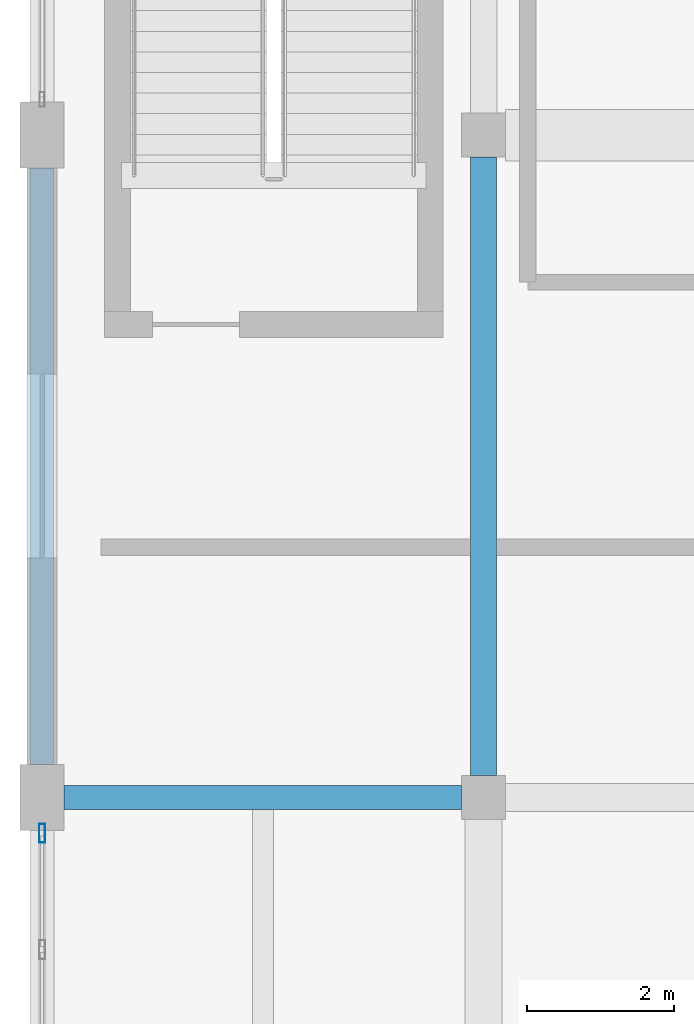
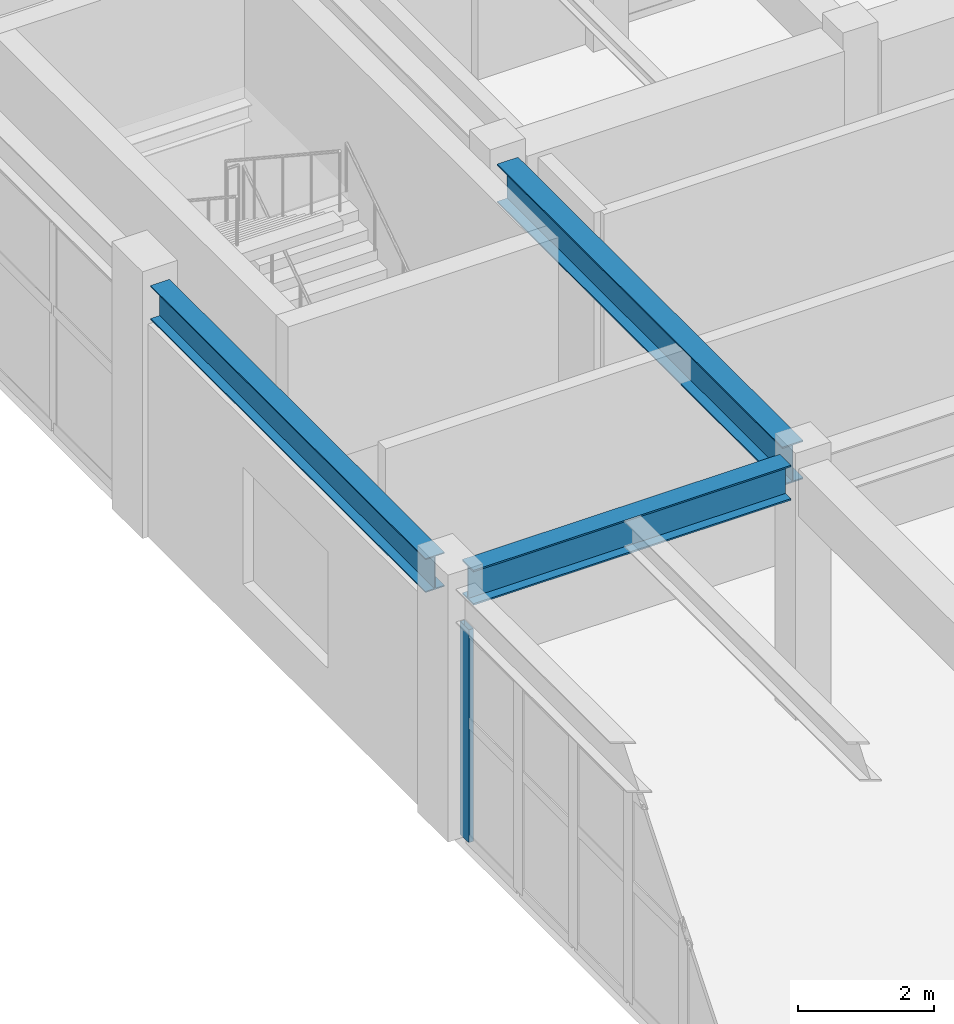
# One storey, part 13 of 80: 3 beams, 1 member, 1 element without a shape of its own.
"""IFC4 building model written with IfcOpenShell, lengths in metres."""

from ifc_helpers import new_model, si_unit, direction, frame, origin, origin_2d, place, context, subcontext, project, spatial, hollow_rectangle, i_section, extrude, material, layer, layer_set, material_profile, profile_set, type_object, element, aggregate, save


model = new_model("IFC4")

# Units and contexts
model_context = context("Model", 3, precision=1e-05, world=origin(), true_north=direction((0.0, 1.0)))
body_context = subcontext(model_context, "Body", "Model", "MODEL_VIEW")
ifc_project = project(units=[si_unit("LENGTHUNIT", "METRE"), si_unit("AREAUNIT", "SQUARE_METRE"), si_unit("VOLUMEUNIT", "CUBIC_METRE"), si_unit("PLANEANGLEUNIT", "RADIAN"), si_unit("MASSUNIT", "GRAM", prefix="KILO")], contexts=[model_context])

# Site, building, storey
site_placement = place(None, origin())
site = spatial("IfcSite", under=ifc_project, at=site_placement, CompositionType="ELEMENT")
building_placement = place(site_placement, origin())
building = spatial("IfcBuilding", under=site, at=building_placement, Name="Vaelkrest Opera House", CompositionType="ELEMENT")
storey_placement = place(building_placement, frame((0.0, 0.0, 15.0)))
storey = spatial("IfcBuildingStorey", under=building, at=storey_placement, Name="L03", CompositionType="ELEMENT", Elevation=15.0)

# Beams
ifc_material_1 = material(Name="Steel A992 Gr50", Category="steel")
ifc_material_profile_1 = material_profile(ifc_material_1, i_section(OverallWidth=0.327880859375, OverallDepth=0.6279296875, WebThickness=0.0166015625, FlangeThickness=0.027587890625, at=origin_2d()), Name="W24X146")
ifc_profile_set_1 = profile_set([ifc_material_profile_1], Name="Steel A992 Gr50")
beam_type_1 = type_object("IfcBeamType", Name="B09", PredefinedType="BEAM", material=ifc_profile_set_1)
beam_1_placement = place(storey_placement, frame((-75.300048828125, 1.199951171875, 4.19091796875), z_axis=(1.0, 0.0, 0.0), x_axis=(0.0, 1.0, 0.0)))
element("IfcBeam", 1, at=beam_1_placement, inside=storey, type_object=beam_type_1, Name="Beam BM-V3-L03-1746", PredefinedType="BEAM", context=body_context, shape_type="SweptSolid", body=[
    extrude(i_section(OverallWidth=0.327880859375, OverallDepth=0.6279296875, WebThickness=0.0166015625, FlangeThickness=0.027587890625, at=origin_2d()), origin(), (0.0, 0.0, 1.0), 5.400146484375),
])
ifc_material_profile_2 = material_profile(ifc_material_1, i_section(OverallWidth=0.35498046875, OverallDepth=0.695068359375, WebThickness=0.015380859375, FlangeThickness=0.02490234375, at=origin_2d()), Name="W27X146")
ifc_profile_set_2 = profile_set([ifc_material_profile_2], Name="Steel A992 Gr50")
beam_type_2 = type_object("IfcBeamType", Name="B10", PredefinedType="BEAM", material=ifc_profile_set_2)
beam_2_placement = place(storey_placement, frame((-69.60009765625, 1.5, 4.157470703125), z_axis=(0.0, 1.0, 0.0), x_axis=(-1.0, 0.0, 0.0)))
element("IfcBeam", 2, at=beam_2_placement, inside=storey, type_object=beam_type_2, Name="Beam BM-V3-L03-1769", PredefinedType="BEAM", context=body_context, shape_type="SweptSolid", body=[
    extrude(i_section(OverallWidth=0.35498046875, OverallDepth=0.695068359375, WebThickness=0.015380859375, FlangeThickness=0.02490234375, at=origin_2d()), origin(), (0.0, 0.0, 1.0), 8.39990234375),
])

# Curtain wall, member
ifc_material_2 = material(Name="Dark bronze anodized aluminium", Category="aluminium")
ifc_layer = layer(ifc_material_2, 0.2099609375)
ifc_layer_set = layer_set([ifc_layer], Name="Dark bronze anodized aluminium")
curtain_wall_type = type_object("IfcCurtainWallType", Name="CW04", PredefinedType="NOTDEFINED", material=ifc_layer_set)
curtain_wall_placement = place(storey_placement, origin())
curtain_wall = element("IfcCurtainWall", 3, at=curtain_wall_placement, inside=storey, type_object=curtain_wall_type, Name="Curtain wall CW-L03-129", PredefinedType="NOTDEFINED")
ifc_material_profile_3 = material_profile(ifc_material_2, hollow_rectangle(XDim=0.080078125, YDim=0.260009765625, WallThickness=0.0048828125, at=origin_2d()), Name="CWM80X260")
ifc_profile_set_3 = profile_set([ifc_material_profile_3], Name="Dark bronze anodized aluminium")
member_type = type_object("IfcMemberType", Name="CWM04", PredefinedType="MULLION", material=ifc_profile_set_3)
member_placement = place(storey_placement, frame((-75.60009765625, 0.7119140625, 0.0), z_axis=(0.0, 0.0, 1.0), x_axis=(-1.0, 0.0, 0.0)))
member = element("IfcMember", 4, at=member_placement, type_object=member_type, Name="CW04 mullion 6", PredefinedType="MULLION", context=body_context, shape_type="SweptSolid", body=[
    extrude(hollow_rectangle(XDim=0.080078125, YDim=0.260009765625, WallThickness=0.0048828125, at=origin_2d()), origin(), (0.0, 0.0, 1.0), 3.8291015625),
])
aggregate(curtain_wall, [member])

# Beam
ifc_material_profile_4 = material_profile(ifc_material_1, i_section(OverallWidth=0.323974609375, OverallDepth=0.611083984375, WebThickness=0.0126953125, FlangeThickness=0.01904296875, at=origin_2d()), Name="W24X104")
ifc_profile_set_4 = profile_set([ifc_material_profile_4], Name="Steel A992 Gr50")
beam_type_3 = type_object("IfcBeamType", Name="SP01", PredefinedType="SPANDREL", material=ifc_profile_set_4)
beam_3_placement = place(storey_placement, frame((-75.60009765625, 1.64990234375, 4.199462890625), z_axis=(0.0, 1.0, 0.0), x_axis=(-1.0, 0.0, 0.0)))
element("IfcBeam", 5, at=beam_3_placement, inside=storey, type_object=beam_type_3, Name="Beam BM-V3-L03-1765", PredefinedType="SPANDREL", context=body_context, shape_type="SweptSolid", body=[
    extrude(i_section(OverallWidth=0.323974609375, OverallDepth=0.611083984375, WebThickness=0.0126953125, FlangeThickness=0.01904296875, at=origin_2d()), origin(), (0.0, 0.0, 1.0), 8.10009765625),
])

save(model, "model.ifc")
